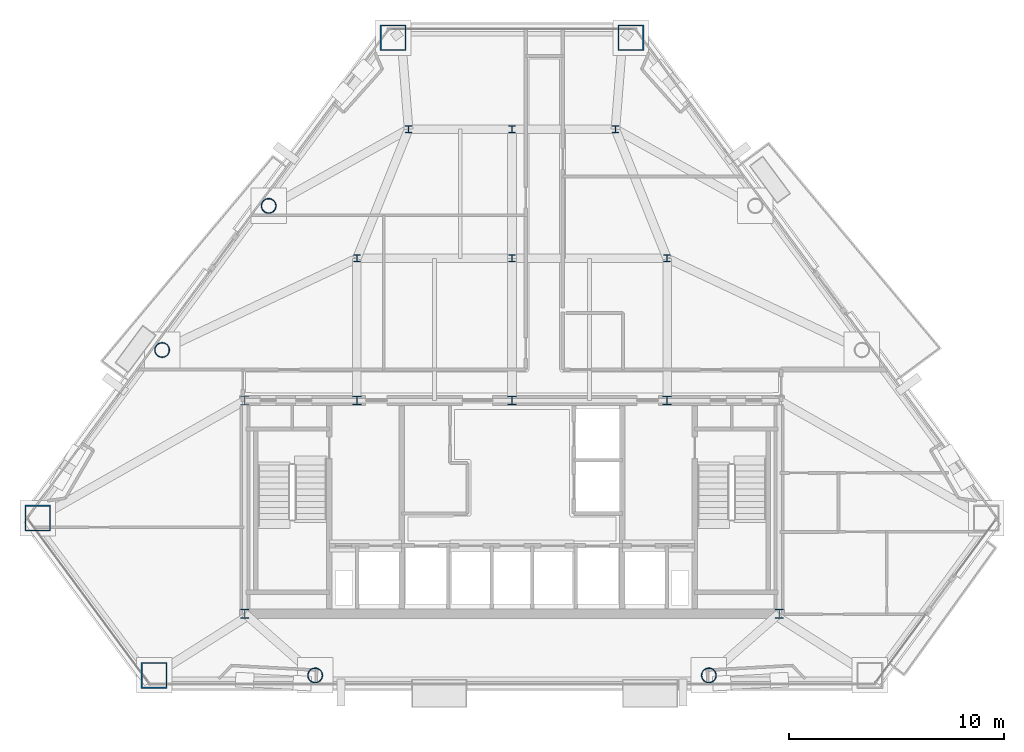
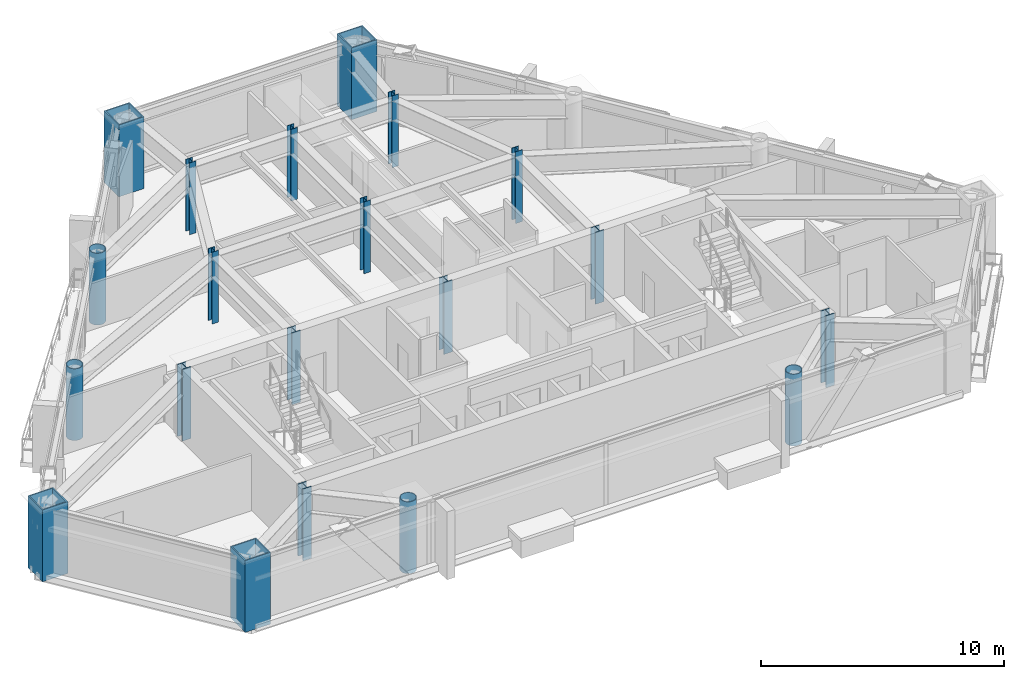
# One storey, part 1 of 11: 20 columns.
"""IFC4 building model written with IfcOpenShell, lengths in metres."""

from ifc_helpers import new_model, si_unit, direction, frame, origin, origin_2d, place, context, subcontext, project, spatial, hollow_rectangle, hollow_circle, i_section, extrude, material, material_profile, profile_set, type_object, element, save


model = new_model("IFC4")

# Units and contexts
model_context = context("Model", 3, precision=1e-05, world=origin(), true_north=direction((0.0, 1.0)))
body_context = subcontext(model_context, "Body", "Model", "MODEL_VIEW")
ifc_project = project(units=[si_unit("LENGTHUNIT", "METRE"), si_unit("AREAUNIT", "SQUARE_METRE"), si_unit("VOLUMEUNIT", "CUBIC_METRE"), si_unit("PLANEANGLEUNIT", "RADIAN"), si_unit("MASSUNIT", "GRAM", prefix="KILO")], contexts=[model_context])

# Site, building, storey
site_placement = place(None, origin())
site = spatial("IfcSite", under=ifc_project, at=site_placement, CompositionType="ELEMENT")
building_placement = place(site_placement, origin())
building = spatial("IfcBuilding", under=site, at=building_placement, Name="Talgorran Terracotta Tower", CompositionType="ELEMENT")
storey_placement = place(building_placement, frame((0.0, 0.0, 125.699951171875)))
storey = spatial("IfcBuildingStorey", under=building, at=storey_placement, Name="L32", CompositionType="ELEMENT", Elevation=125.699951171875)

# Columns
ifc_material_1 = material(Name="Steel S355 (300PLUS)", Category="steel")
ifc_material_profile_1 = material_profile(ifc_material_1, i_section(OverallWidth=0.311279296875, OverallDepth=0.3271484375, WebThickness=0.015625, FlangeThickness=0.02490234375, at=origin_2d()), Name="310UC158")
ifc_profile_set_1 = profile_set([ifc_material_profile_1], Name="Steel S355 (300PLUS)")
column_type_1 = type_object("IfcColumnType", Name="COL_310UC158", PredefinedType="COLUMN", material=ifc_profile_set_1)
for number, where, z_axis, x_axis, name in (
    (1, (-7.199951171875, 2.39990234375, 0.0), (0.0, 0.0, 1.0), (1.0, 0.0, 0.0), "L32 Interior Gravity Column IC1"),
    (2, (0.0, 2.39990234375, 0.0), (0.0, 0.0, 1.0), (1.0, 0.0, 0.0), "L32 Interior Gravity Column IC2"),
    (3, (7.199951171875, 2.39990234375, 0.0), (0.0, 0.0, 1.0), (1.0, 0.0, 0.0), "L32 Interior Gravity Column IC3"),
    (4, (-4.800048828125, 8.39990234375, 0.0), (0.0, 0.0, 1.0), (1.0, 0.0, 0.0), "L32 Interior Gravity Column IC4"),
    (5, (0.0, 8.39990234375, 0.0), (0.0, 0.0, 1.0), (1.0, 0.0, 0.0), "L32 Interior Gravity Column IC5"),
    (6, (4.800048828125, 8.39990234375, 0.0), (0.0, 0.0, 1.0), (1.0, 0.0, 0.0), "L32 Interior Gravity Column IC6"),
):
    element("IfcColumn", number, at=place(storey_placement, frame(where, z_axis=z_axis, x_axis=x_axis)), inside=storey, type_object=column_type_1, Name=name, PredefinedType="COLUMN", context=body_context, shape_type="SweptSolid", body=[
        extrude(i_section(OverallWidth=0.311279296875, OverallDepth=0.3271484375, WebThickness=0.015625, FlangeThickness=0.02490234375, at=origin_2d()), origin(), (0.0, 0.0, 1.0), 3.60009765625),
    ])
ifc_material_profile_2 = material_profile(ifc_material_1, i_section(OverallWidth=0.39990234375, OverallDepth=0.43994140625, WebThickness=0.028076171875, FlangeThickness=0.0400390625, at=origin_2d()), Name="400WC328")
ifc_profile_set_2 = profile_set([ifc_material_profile_2], Name="Steel S355 (300PLUS)")
column_type_2 = type_object("IfcColumnType", Name="COL_400WC328", PredefinedType="COLUMN", material=ifc_profile_set_2)
for number, where, z_axis, x_axis, name in (
    (7, (-12.39990234375, -14.10009765625, 0.0), (0.0, 0.0, 1.0), (1.0, 0.0, 0.0), "L32 Core Boundary Column CC1"),
    (8, (12.39990234375, -14.10009765625, 0.0), (0.0, 0.0, 1.0), (1.0, 0.0, 0.0), "L32 Core Boundary Column CC2"),
    (9, (-12.39990234375, -4.199951171875, 0.0), (0.0, 0.0, 1.0), (1.0, 0.0, 0.0), "L32 Core Boundary Column CC4"),
):
    element("IfcColumn", number, at=place(storey_placement, frame(where, z_axis=z_axis, x_axis=x_axis)), inside=storey, type_object=column_type_2, Name=name, PredefinedType="COLUMN", context=body_context, shape_type="SweptSolid", body=[
        extrude(i_section(OverallWidth=0.39990234375, OverallDepth=0.43994140625, WebThickness=0.028076171875, FlangeThickness=0.0400390625, at=origin_2d()), origin(), (0.0, 0.0, 1.0), 3.60009765625),
    ])
ifc_material_2 = material(Name="Steel Grade 350 (350L0)", Category="steel")
ifc_material_profile_3 = material_profile(ifc_material_2, hollow_rectangle(XDim=1.199951171875, YDim=1.199951171875, WallThickness=0.054931640625, at=origin_2d()), Name="CFT1200X1200X55")
ifc_profile_set_3 = profile_set([ifc_material_profile_3], Name="Steel Grade 350 (350L0)")
column_type_3 = type_object("IfcColumnType", Name="COL_CFT_1200", PredefinedType="COLUMN", material=ifc_profile_set_3)
for number, where, z_axis, x_axis, name in (
    (10, (-22.0185546875, -9.661865234375, 0.0), (0.0, 0.0, 1.0), (1.0, 0.0, 0.0), "L32 Corner CFT Mega-Column MC1"),
    (11, (-16.618408203125, -16.96337890625, 0.0), (0.0, 0.0, 1.0), (1.0, 0.0, 0.0), "L32 Corner CFT Mega-Column MC2"),
    (12, (5.5224609375, 12.641845703125, 0.0), (0.0, 0.0, 1.0), (1.0, 0.0, 0.0), "L32 Corner CFT Mega-Column MC5"),
    (13, (-5.5224609375, 12.641845703125, 0.0), (0.0, 0.0, 1.0), (1.0, 0.0, 0.0), "L32 Corner CFT Mega-Column MC6"),
):
    element("IfcColumn", number, at=place(storey_placement, frame(where, z_axis=z_axis, x_axis=x_axis)), inside=storey, type_object=column_type_3, Name=name, PredefinedType="COLUMN", context=body_context, shape_type="SweptSolid", body=[
        extrude(hollow_rectangle(XDim=1.199951171875, YDim=1.199951171875, WallThickness=0.054931640625, at=origin_2d()), origin(), (0.0, 0.0, 1.0), 3.60009765625),
    ])
ifc_material_profile_4 = material_profile(ifc_material_2, hollow_circle(Radius=0.35009765625, WallThickness=0.030029296875, at=origin_2d()), Name="CHS700X30")
ifc_profile_set_4 = profile_set([ifc_material_profile_4], Name="Steel Grade 350 (350L0)")
column_type_4 = type_object("IfcColumnType", Name="COL_CHS_700", PredefinedType="COLUMN", material=ifc_profile_set_4)
for number, where, z_axis, x_axis, name in (
    (14, (-9.14013671875, -16.96337890625, 0.0), (0.0, 0.0, 1.0), (1.0, 0.0, 0.0), "L32 Facet Perimeter Column FC1"),
    (15, (9.14013671875, -16.96337890625, 0.0), (0.0, 0.0, 1.0), (1.0, 0.0, 0.0), "L32 Facet Perimeter Column FC2"),
    (16, (-11.296142578125, 4.835693359375, 0.0), (0.0, 0.0, 1.0), (1.0, 0.0, 0.0), "L32 Facet Perimeter Column FC5"),
    (17, (-16.244873046875, -1.855712890625, 0.0), (0.0, 0.0, 1.0), (1.0, 0.0, 0.0), "L32 Facet Perimeter Column FC6"),
):
    element("IfcColumn", number, at=place(storey_placement, frame(where, z_axis=z_axis, x_axis=x_axis)), inside=storey, type_object=column_type_4, Name=name, PredefinedType="COLUMN", context=body_context, shape_type="SweptSolid", body=[
        extrude(hollow_circle(Radius=0.35009765625, WallThickness=0.030029296875, at=origin_2d()), origin(), (0.0, 0.0, 1.0), 3.60009765625),
    ])
ifc_material_profile_5 = material_profile(ifc_material_1, i_section(OverallWidth=0.405029296875, OverallDepth=0.4140625, WebThickness=0.02197265625, FlangeThickness=0.031982421875, at=origin_2d()), Name="400WC270")
ifc_profile_set_5 = profile_set([ifc_material_profile_5], Name="Steel S355 (300PLUS)")
column_type_5 = type_object("IfcColumnType", Name="COL_PIL_400WC270", PredefinedType="PILASTER", material=ifc_profile_set_5)
for number, where, z_axis, x_axis, name in (
    (18, (-7.199951171875, -4.199951171875, 0.0), (0.0, 0.0, 1.0), (1.0, 0.0, 0.0), "L32 Core Shear Pilaster CP1"),
    (19, (0.0, -4.199951171875, 0.0), (0.0, 0.0, 1.0), (1.0, 0.0, 0.0), "L32 Core Shear Pilaster CP2"),
    (20, (7.199951171875, -4.199951171875, 0.0), (0.0, 0.0, 1.0), (1.0, 0.0, 0.0), "L32 Core Shear Pilaster CP3"),
):
    element("IfcColumn", number, at=place(storey_placement, frame(where, z_axis=z_axis, x_axis=x_axis)), inside=storey, type_object=column_type_5, Name=name, PredefinedType="PILASTER", context=body_context, shape_type="SweptSolid", body=[
        extrude(i_section(OverallWidth=0.405029296875, OverallDepth=0.4140625, WebThickness=0.02197265625, FlangeThickness=0.031982421875, at=origin_2d()), origin(), (0.0, 0.0, 1.0), 3.60009765625),
    ])

save(model, "model.ifc")
